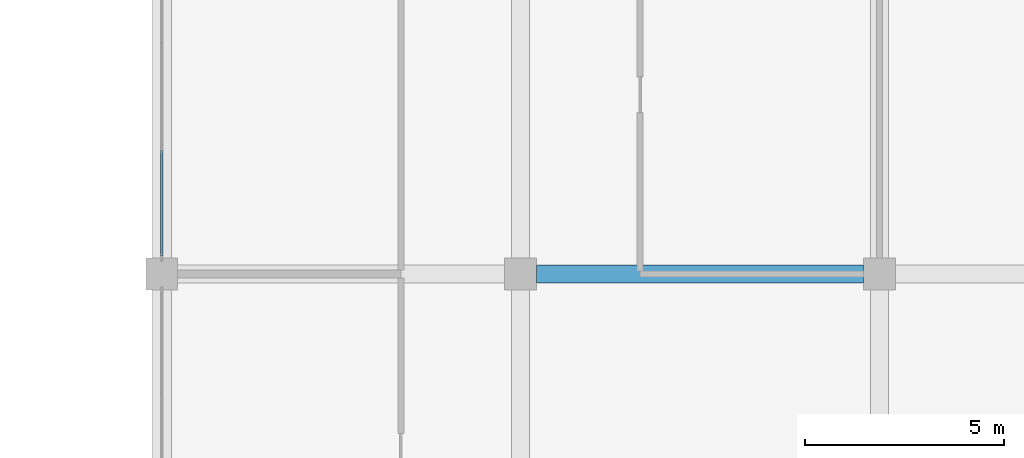
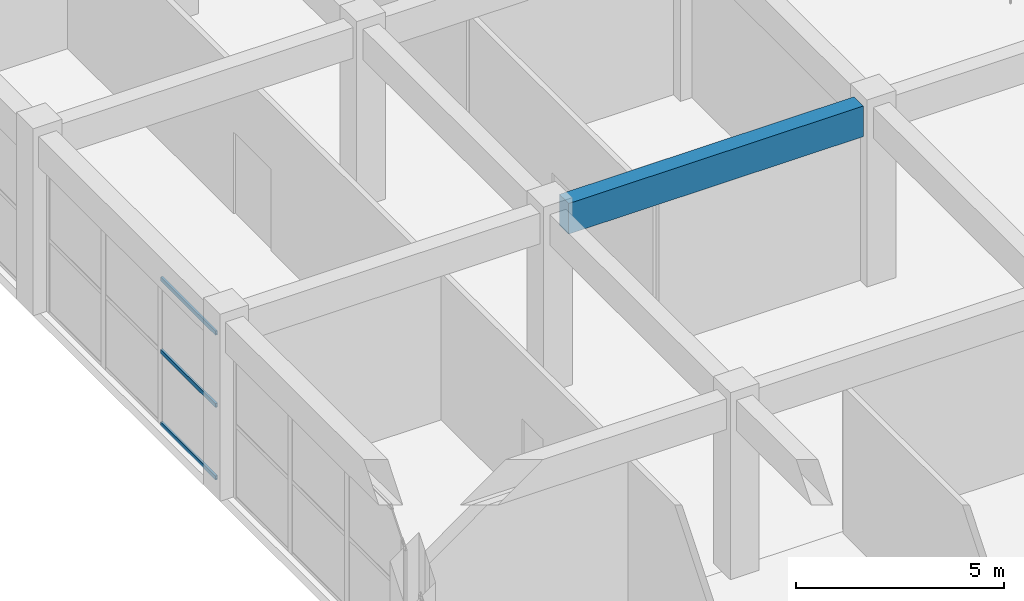
# One storey, part 207 of 437: 3 members, 1 beam, 1 element without a shape of its own.
"""IFC4 building model written with IfcOpenShell, lengths in metres."""

from ifc_helpers import new_model, si_unit, direction, frame, origin, origin_2d, place, context, subcontext, project, spatial, rectangle, hollow_rectangle, extrude, material, layer, layer_set, material_profile, profile_set, type_object, element, aggregate, save


model = new_model("IFC4")

# Units and contexts
model_context = context("Model", 3, precision=1e-05, world=origin(), true_north=direction((0.0, 1.0)))
body_context = subcontext(model_context, "Body", "Model", "MODEL_VIEW")
ifc_project = project(units=[si_unit("LENGTHUNIT", "METRE"), si_unit("AREAUNIT", "SQUARE_METRE"), si_unit("VOLUMEUNIT", "CUBIC_METRE"), si_unit("PLANEANGLEUNIT", "RADIAN"), si_unit("MASSUNIT", "GRAM", prefix="KILO")], contexts=[model_context])

# Site, building, storey
site_placement = place(None, origin())
site = spatial("IfcSite", under=ifc_project, at=site_placement, CompositionType="ELEMENT")
building_placement = place(site_placement, origin())
building = spatial("IfcBuilding", under=site, at=building_placement, Name="Opaline Strait Convention Centre", CompositionType="ELEMENT")
storey_placement = place(building_placement, frame((0.0, 0.0, 11.5)))
storey = spatial("IfcBuildingStorey", under=building, at=storey_placement, Name="L02", CompositionType="ELEMENT", Elevation=11.5)

# Curtain wall, members
ifc_material_1 = material(Name="Aluminium framed double glazing", Category="aluminium")
ifc_layer = layer(ifc_material_1, 0.199951171875)
ifc_layer_set = layer_set([ifc_layer], Name="Aluminium framed double glazing")
curtain_wall_type = type_object("IfcCurtainWallType", Name="Curtain wall 3000 module unitised", PredefinedType="NOTDEFINED", material=ifc_layer_set)
curtain_wall_placement = place(storey_placement, origin())
curtain_wall = element("IfcCurtainWall", 1, at=curtain_wall_placement, inside=storey, type_object=curtain_wall_type, Name="Curtain wall W L02 32/S", PredefinedType="NOTDEFINED")
ifc_material_2 = material(Name="Aluminium alloy 6063", Category="aluminium")
ifc_material_profile_1 = material_profile(ifc_material_2, hollow_rectangle(XDim=0.06005859375, YDim=0.1201171875, WallThickness=0.0029296875, at=origin_2d()), Name="TRANSOM 60x120x3")
ifc_profile_set_1 = profile_set([ifc_material_profile_1], Name="Aluminium alloy 6063")
member_type = type_object("IfcMemberType", Name="Curtain wall transom 60 x 120", PredefinedType="USERDEFINED", material=ifc_profile_set_1)
member_1_placement = place(storey_placement, frame((279.0, 144.4599609375, 0.030029296875), z_axis=(0.0, 1.0, 0.0), x_axis=(-1.0, 0.0, 0.0)))
member_1 = element("IfcMember", 2, at=member_1_placement, type_object=member_type, Name="MCWR1 transom 1.1", ObjectType="TRANSOM", PredefinedType="USERDEFINED", context=body_context, shape_type="SweptSolid", body=[
    extrude(hollow_rectangle(XDim=0.06005859375, YDim=0.1201171875, WallThickness=0.0029296875, at=origin_2d()), origin(), (0.0, 0.0, 1.0), 2.643310546875),
])
member_2_placement = place(storey_placement, frame((279.0, 144.4599609375, 2.159912109375), z_axis=(0.0, 1.0, 0.0), x_axis=(-1.0, 0.0, 0.0)))
member_2 = element("IfcMember", 3, at=member_2_placement, type_object=member_type, Name="MCWR1 transom 1.2", ObjectType="TRANSOM", PredefinedType="USERDEFINED", context=body_context, shape_type="SweptSolid", body=[
    extrude(hollow_rectangle(XDim=0.06005859375, YDim=0.1201171875, WallThickness=0.0029296875, at=origin_2d()), origin(), (0.0, 0.0, 1.0), 2.643310546875),
])
member_3_placement = place(storey_placement, frame((279.0, 144.4599609375, 4.2900390625), z_axis=(0.0, 1.0, 0.0), x_axis=(-1.0, 0.0, 0.0)))
member_3 = element("IfcMember", 4, at=member_3_placement, type_object=member_type, Name="MCWR1 transom 1.3", ObjectType="TRANSOM", PredefinedType="USERDEFINED", context=body_context, shape_type="SweptSolid", body=[
    extrude(hollow_rectangle(XDim=0.06005859375, YDim=0.1201171875, WallThickness=0.0029296875, at=origin_2d()), origin(), (0.0, 0.0, 1.0), 2.643310546875),
])
aggregate(curtain_wall, [member_1, member_2, member_3])

# Beam
ifc_material_3 = material(Name="Concrete C35", Category="concrete")
ifc_material_profile_2 = material_profile(ifc_material_3, rectangle(XDim=0.449951171875, YDim=0.89990234375, at=origin_2d()), Name="RC 450x900")
ifc_profile_set_2 = profile_set([ifc_material_profile_2], Name="Concrete C35")
beam_type = type_object("IfcBeamType", Name="RC beam 450x900 C35", PredefinedType="BEAM", material=ifc_profile_set_2)
beam_placement = place(storey_placement, frame((288.39990234375, 144.0, 4.77001953125), z_axis=(1.0, 0.0, 0.0), x_axis=(0.0, 1.0, 0.0)))
element("IfcBeam", 5, at=beam_placement, inside=storey, type_object=beam_type, Name="XB1 L02 33/S-34/S", PredefinedType="BEAM", context=body_context, shape_type="SweptSolid", body=[
    extrude(rectangle(XDim=0.449951171875, YDim=0.89990234375, at=origin_2d()), origin(), (0.0, 0.0, 1.0), 8.2001953125),
])

save(model, "model.ifc")
